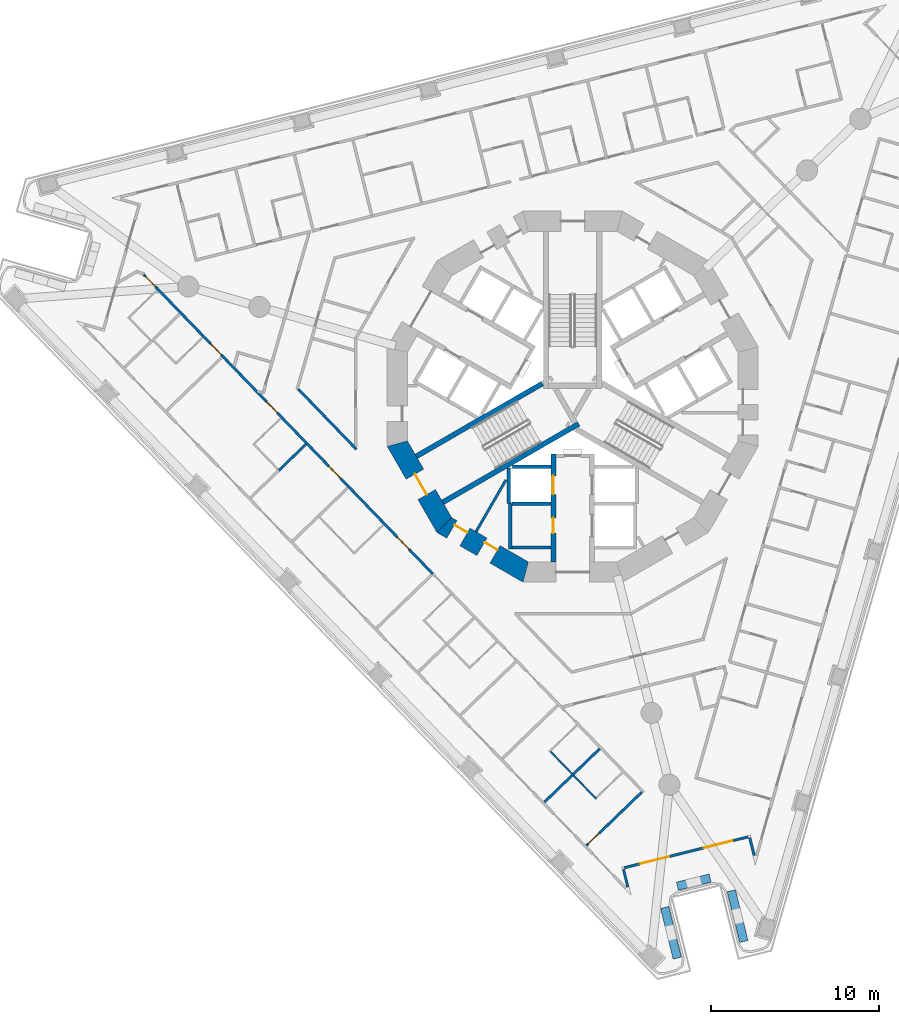
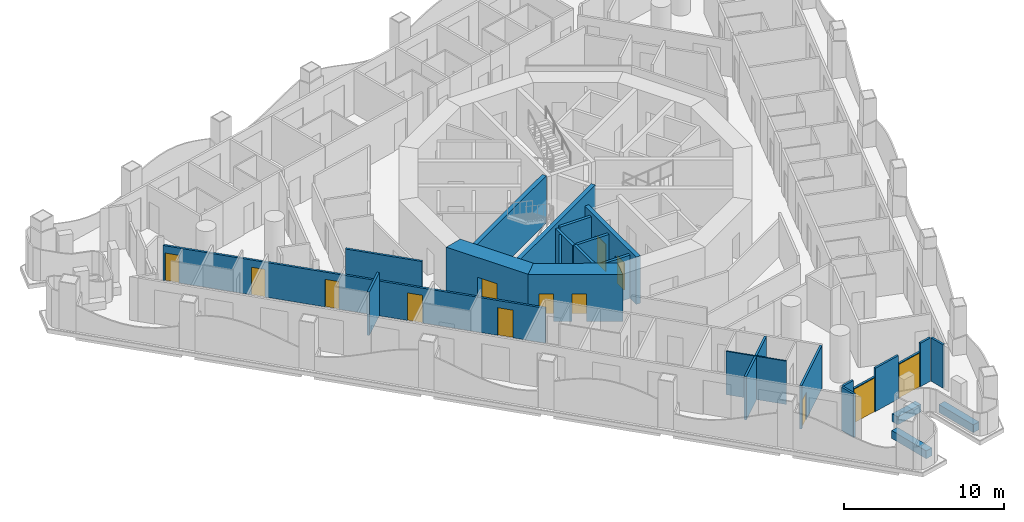
# One storey, part 3 of 19: 28 walls, 13 doors, 13 openings.
"""IFC4 building model written with IfcOpenShell, lengths in metres."""

import ifcopenshell
import ifcopenshell.guid

model = None  # the IFC model being written
_history = None  # IfcOwnerHistory: only IFC2X3 demands one
_inside = {}  # id of a spatial element -> (the spatial element, [elements in it])
_under = {}  # id of a project, library or spatial element -> (it, [spatial elements below it])
_declared = {}  # id of a project -> (the project, [libraries it declares])
_typed = {}  # id of a type object -> (the type object, [elements of that type])
_made_of = {}  # id of a material, layer set ... -> (it, [elements and type objects made of it])


def new_model(schema):
    """Start an empty IFC model of exactly this schema.

    Asked for "IFC4X3", IfcOpenShell would pick the latest addendum, in which some entities
    have other attributes; the version numbers below select the first issue.
    IFC2X3 requires an IfcOwnerHistory on every rooted entity: one is made here for all.
    """
    global model, _history
    if schema == "IFC4X3":
        model = ifcopenshell.file(schema_version=(4, 3, 0, 0))
    else:
        model = ifcopenshell.file(schema=schema)
    _inside.clear()
    _under.clear()
    _declared.clear()
    _typed.clear()
    _made_of.clear()
    _history = None
    if model.schema == "IFC2X3":
        org = make("IfcOrganization", Name="unknown")
        user = make(
            "IfcPersonAndOrganization",
            ThePerson=make("IfcPerson", FamilyName="unknown"),
            TheOrganization=org,
        )
        app = make(
            "IfcApplication",
            ApplicationDeveloper=org,
            Version="unknown",
            ApplicationFullName="unknown",
            ApplicationIdentifier="unknown",
        )
        _history = make(
            "IfcOwnerHistory",
            OwningUser=user,
            OwningApplication=app,
            ChangeAction="ADDED",
            CreationDate=0,
        )
    return model


def make(cls, **values):
    """One entity of the class cls with the attributes given. An attribute that is None is left unset."""
    return model.create_entity(
        cls, **{name: value for name, value in values.items() if value is not None}
    )


def rooted(cls, **values):
    """An entity with a GlobalId (a new one), such as an element, a storey or a relation."""
    return make(cls, GlobalId=ifcopenshell.guid.new(), OwnerHistory=_history, **values)


def si_unit(unit_type, name, prefix=None):
    """IfcSIUnit, for example si_unit("LENGTHUNIT", "METRE", prefix="MILLI")."""
    return make("IfcSIUnit", UnitType=unit_type, Prefix=prefix, Name=name)


def assignment(units):
    """IfcUnitAssignment: the units of a project."""
    return None if units is None else make("IfcUnitAssignment", Units=units)


def point(xyz):
    """IfcCartesianPoint."""
    return None if xyz is None else make("IfcCartesianPoint", Coordinates=xyz)


def direction(xyz):
    """IfcDirection."""
    return None if xyz is None else make("IfcDirection", DirectionRatios=xyz)


def frame(location, z_axis=None, x_axis=None):
    """IfcAxis2Placement3D, a coordinate frame: its origin and axes. An axis left out is left unset."""
    return make(
        "IfcAxis2Placement3D",
        Location=point(location),
        Axis=direction(z_axis),
        RefDirection=direction(x_axis),
    )


def frame_2d(location, x_axis=None):
    """IfcAxis2Placement2D, a coordinate frame in the plane: its origin and x axis."""
    return make(
        "IfcAxis2Placement2D", Location=point(location), RefDirection=direction(x_axis)
    )


def origin():
    """The frame at (0, 0, 0) with its axes left unset."""
    return frame((0.0, 0.0, 0.0))


def place(relative_to, where):
    """IfcLocalPlacement: puts the frame where relative to a parent placement (None: the world)."""
    return make(
        "IfcLocalPlacement", PlacementRelTo=relative_to, RelativePlacement=where
    )


def context(
    kind, dimensions, precision=None, world=None, true_north=None, identifier=None
):
    """IfcGeometricRepresentationContext, for example the 3D "Model" context."""
    return make(
        "IfcGeometricRepresentationContext",
        ContextIdentifier=identifier,
        ContextType=kind,
        CoordinateSpaceDimension=dimensions,
        Precision=precision,
        WorldCoordinateSystem=world,
        TrueNorth=true_north,
    )


def subcontext(parent, identifier, kind, view, scale=None):
    """IfcGeometricRepresentationSubContext, for example "Body" below "Model"."""
    return make(
        "IfcGeometricRepresentationSubContext",
        ContextIdentifier=identifier,
        ContextType=kind,
        ParentContext=parent,
        TargetScale=scale,
        TargetView=view,
    )


def project(units=None, contexts=None):
    """IfcProject with its units and contexts."""
    return rooted(
        "IfcProject",
        Name="project",
        RepresentationContexts=contexts,
        UnitsInContext=assignment(units),
    )


def spatial(cls, under=None, at=None, **own):
    """A site, building, storey or space (cls), placed at a placement, below another one or the project."""
    s = rooted(cls, ObjectPlacement=at, **own)
    if under is not None:
        _under.setdefault(under.id(), (under, []))[1].append(s)
    return s


def polyline(points):
    """IfcPolyline through the points."""
    return make("IfcPolyline", Points=[point(p) for p in points])


def profile(cls, at=None, kind="AREA", **sizes):
    """A parametric profile (cls). Its sizes go by their IFC names, for example OverallWidth=200.0."""
    return make(cls, ProfileType=kind, Position=at, **sizes)


def rectangle(**sizes):
    """IfcRectangleProfileDef."""
    return profile("IfcRectangleProfileDef", **sizes)


def outline(outer, holes=None, kind="AREA"):
    """IfcArbitraryClosedProfileDef: a profile drawn as a closed curve; with holes, ...WithVoids."""
    if holes is None:
        return make("IfcArbitraryClosedProfileDef", ProfileType=kind, OuterCurve=outer)
    return make(
        "IfcArbitraryProfileDefWithVoids",
        ProfileType=kind,
        OuterCurve=outer,
        InnerCurves=holes,
    )


def extrude(swept, where, along, depth):
    """IfcExtrudedAreaSolid: the profile swept, set in the frame where, extruded along a direction by depth."""
    return make(
        "IfcExtrudedAreaSolid",
        SweptArea=swept,
        Position=where,
        ExtrudedDirection=direction(along),
        Depth=depth,
    )


def shape(context_of_items, identifier, shape_type, items):
    """IfcShapeRepresentation: the items that make up one representation, for example the "Body"."""
    return make(
        "IfcShapeRepresentation",
        ContextOfItems=context_of_items,
        RepresentationIdentifier=identifier,
        RepresentationType=shape_type,
        Items=items,
    )


def material(Name=None, Category=None):
    """IfcMaterial."""
    return make("IfcMaterial", Name=Name, Category=Category)


def layer(
    of_material, thickness, ventilated=None, Name=None, Category=None, Priority=None
):
    """IfcMaterialLayer: one layer of a wall or slab, of a material (None: an air gap)."""
    return make(
        "IfcMaterialLayer",
        Material=of_material,
        LayerThickness=thickness,
        IsVentilated=ventilated,
        Name=Name,
        Category=Category,
        Priority=Priority,
    )


def layer_set(layers, Name=None):
    """IfcMaterialLayerSet."""
    return make("IfcMaterialLayerSet", MaterialLayers=layers, LayerSetName=Name)


def made_of(thing, what):
    """Note that an element or type object is made of a material, layer set ...; save() writes the relation."""
    if what is not None:
        _made_of.setdefault(what.id(), (what, []))[1].append(thing)
    return thing


def type_object(cls, material=None, **own):
    """A type object (cls), such as IfcWallType, which elements share."""
    return made_of(rooted(cls, **own), material)


def element(
    cls,
    number,
    at=None,
    inside=None,
    cuts=None,
    type_object=None,
    material=None,
    context=None,
    identifier="Body",
    shape_type=None,
    held_by="IfcProductDefinitionShape",
    body=None,
    shapes=None,
    **own,
):
    """One element of the class cls, such as IfcWall. Its Tag is "e" and its number.

    at: its placement. inside: the storey or other place that contains it. cuts: it is an
    opening in that element (IfcRelVoidsElement). A single representation is given by context,
    identifier, shape_type and body (its items); several are given by shapes. held_by: the class
    of the entity that holds the representations. save() writes the other relations.
    """
    e = rooted(cls, Tag="e%d" % number, ObjectPlacement=at, **own)
    if body is not None:
        shapes = [shape(context, identifier, shape_type, body)]
    if shapes is not None:
        e.Representation = make(held_by, Representations=shapes)
    if inside is not None:
        _inside.setdefault(inside.id(), (inside, []))[1].append(e)
    if cuts is not None:
        rooted(
            "IfcRelVoidsElement", RelatingBuildingElement=cuts, RelatedOpeningElement=e
        )
    if type_object is not None:
        _typed.setdefault(type_object.id(), (type_object, []))[1].append(e)
    return made_of(e, material)


def fill(opening, filler):
    """IfcRelFillsElement: the door or window that sits in an opening."""
    return rooted(
        "IfcRelFillsElement",
        RelatingOpeningElement=opening,
        RelatedBuildingElement=filler,
    )


def aggregate(whole, parts):
    """IfcRelAggregates: a whole, such as a stair, and the parts it consists of."""
    return rooted("IfcRelAggregates", RelatingObject=whole, RelatedObjects=parts)


def save(model, path):
    """Write the relations noted so far, then the file.

    IfcRelAggregates (storeys below a building ...), IfcRelContainedInSpatialStructure (elements
    in a storey), IfcRelDefinesByType, IfcRelAssociatesMaterial and IfcRelDeclares: one each for
    every whole, place, type object, material and project.
    """
    for whole, parts in _under.values():
        aggregate(whole, parts)
    for where, things in _inside.values():
        rooted(
            "IfcRelContainedInSpatialStructure",
            RelatedElements=things,
            RelatingStructure=where,
        )
    for kind, things in _typed.values():
        rooted("IfcRelDefinesByType", RelatedObjects=things, RelatingType=kind)
    for what, things in _made_of.values():
        rooted("IfcRelAssociatesMaterial", RelatedObjects=things, RelatingMaterial=what)
    for by, libraries in _declared.values():
        rooted("IfcRelDeclares", RelatingContext=by, RelatedDefinitions=libraries)
    model.write(path)


model = new_model("IFC4")

# Units and contexts
model_context = context("Model", 3, precision=1e-05, world=origin(), true_north=direction((0.0, 1.0)))
body_context = subcontext(model_context, "Body", "Model", "MODEL_VIEW")
ifc_project = project(units=[si_unit("LENGTHUNIT", "METRE"), si_unit("AREAUNIT", "SQUARE_METRE"), si_unit("VOLUMEUNIT", "CUBIC_METRE"), si_unit("PLANEANGLEUNIT", "RADIAN"), si_unit("MASSUNIT", "GRAM", prefix="KILO")], contexts=[model_context])

# Site, building, storey
site_placement = place(None, origin())
site = spatial("IfcSite", under=ifc_project, at=site_placement, CompositionType="ELEMENT")
building_placement = place(site_placement, origin())
building = spatial("IfcBuilding", under=site, at=building_placement, Name="Trine Commons Tower", CompositionType="ELEMENT")
storey_placement = place(building_placement, frame((0.0, 0.0, 98.10009765625)))
storey = spatial("IfcBuildingStorey", under=building, at=storey_placement, Name="L24", CompositionType="ELEMENT", Elevation=98.10009765625)

# Walls
ifc_material_1 = material(Name="Plasterboard partition on steel studs", Category="steel")
ifc_layer_1 = layer(ifc_material_1, 0.14990234375)
ifc_layer_set_1 = layer_set([ifc_layer_1], Name="Plasterboard partition on steel studs")
wall_type_1 = type_object("IfcWallType", Name="Core room partition 150 mm, EI 60", PredefinedType="PARTITIONING", material=ifc_layer_set_1)
wall_1_placement = place(storey_placement, frame((74.260986328125, 54.48388671875, 0.0), z_axis=(0.0, 0.0, 1.0), x_axis=(0.500062019353, 0.865989593933, 0.0)))
element("IfcWall", 1, at=wall_1_placement, inside=storey, type_object=wall_type_1, Name="Core room partition L24", PredefinedType="PARTITIONING", context=body_context, shape_type="SweptSolid", body=[
    extrude(rectangle(XDim=3.54736328125, YDim=0.14990234375, at=frame_2d((1.773681640625, 0.0))), origin(), (0.0, 0.0, 1.0), 3.2998046875),
])
ifc_material_2 = material(Name="Aluminium-framed insulated wall panel", Category="aluminium")
ifc_layer_2 = layer(ifc_material_2, 0.14990234375)
ifc_layer_set_2 = layer_set([ifc_layer_2], Name="Aluminium-framed insulated wall panel")
wall_type_2 = type_object("IfcWallType", Name="Glazed frame wall 150, EI 60", PredefinedType="SOLIDWALL", material=ifc_layer_set_2)
wall_2_placement = place(storey_placement, frame((90.810302734375, 35.118896484375, 0.0), z_axis=(0.0, 0.0, 1.0), x_axis=(-0.241937701072, 0.970291785393, 0.0)))
element("IfcWall", 2, at=wall_2_placement, inside=storey, type_object=wall_type_2, Name="Glazed frame wall R9", PredefinedType="SOLIDWALL", context=body_context, shape_type="SweptSolid", body=[
    extrude(outline(polyline([(0.1494140625, 0.074951171875), (0.1494140625, -0.074951171875), (1.235107421875, -0.074951171875), (1.235107421875, 0.074951171875), (0.1494140625, 0.074951171875)])), origin(), (0.0, 0.0, 1.0), 3.2998046875),
])
wall_3_placement = place(storey_placement, frame((90.527099609375, 36.398681640625, 0.0), z_axis=(0.0, 0.0, 1.0), x_axis=(-0.970285952705, -0.24196109188, 0.0)))
element("IfcWall", 3, at=wall_3_placement, inside=storey, type_object=wall_type_2, Name="Glazed frame wall P3.1", PredefinedType="SOLIDWALL", context=body_context, shape_type="SweptSolid", body=[
    extrude(outline(polyline([(0.110107421875, -0.074951171875), (1.0, -0.074951171875), (1.0, 0.074951171875), (0.110107421875, 0.074951171875), (0.110107421875, -0.074951171875)])), origin(), (0.0, 0.0, 1.0), 3.2998046875),
])

# Wall, opening, door
wall_4_placement = place(storey_placement, frame((89.556884765625, 36.15673828125, 0.0), z_axis=(0.0, 0.0, 1.0), x_axis=(-0.970285945114, -0.241961122321, 0.0)))
wall_4 = element("IfcWall", 4, at=wall_4_placement, inside=storey, type_object=wall_type_2, Name="Glazed frame wall P3.2", PredefinedType="SOLIDWALL", context=body_context, shape_type="SweptSolid", body=[
    extrude(outline(polyline([(0.0, -0.074951171875), (1.89990234375, -0.074951171875), (1.89990234375, 0.074951171875), (0.0, 0.074951171875), (0.0, -0.074951171875)])), origin(), (0.0, 0.0, 1.0), 2.64990234375),
])
opening_1_placement = place(wall_4_placement, frame((0.050048828125, 0.0, 0.0)))
opening_1 = element("IfcOpeningElement", 5, at=opening_1_placement, cuts=wall_4, Name="Opening BD-3P3-01", PredefinedType="OPENING", context=body_context, shape_type="SweptSolid", body=[
    extrude(rectangle(XDim=1.800048828125, YDim=2.60009765625, at=frame_2d((0.89990234375, 1.300048828125))), frame((0.0, 0.0849609375, 0.0), z_axis=(0.0, -1.0, 0.0), x_axis=(1.0, 0.0, 0.0)), (0.0, 0.0, 1.0), 0.169921875),
])
ifc_material_3 = material(Name="Anodised aluminium frame with double glazing", Category="aluminium")
door_type_1 = type_object("IfcDoorType", Name="Sliding loggia door 1800x2600", OperationType="SLIDING_TO_LEFT", PredefinedType="DOOR", material=ifc_material_3)
door_1_placement = place(opening_1_placement, origin())
door_1 = element("IfcDoor", 6, at=door_1_placement, inside=storey, type_object=door_type_1, Name="Loggia door P3 1", OperationType="SLIDING_TO_LEFT", OverallHeight=2.60009765625, OverallWidth=1.800048828125, PredefinedType="DOOR", context=body_context, shape_type="SweptSolid", body=[
    extrude(rectangle(XDim=1.800048828125, YDim=2.60009765625, at=frame_2d((0.89990234375, 1.300048828125))), frame((0.0, 0.02490234375, 0.0), z_axis=(0.0, -1.0, 0.0), x_axis=(1.0, 0.0, 0.0)), (0.0, 0.0, 1.0), 0.050048828125),
])
fill(opening_1, door_1)

# Wall
wall_5_placement = place(storey_placement, frame((87.71337890625, 35.697021484375, 0.0), z_axis=(0.0, 0.0, 1.0), x_axis=(-0.970293098586, -0.241932434444, 0.0)))
element("IfcWall", 7, at=wall_5_placement, inside=storey, type_object=wall_type_2, Name="Glazed frame wall P3.3", PredefinedType="SOLIDWALL", context=body_context, shape_type="SweptSolid", body=[
    extrude(outline(polyline([(0.0, -0.074951171875), (2.0, -0.074951171875), (2.0, 0.074951171875), (0.0, 0.074951171875), (0.0, -0.074951171875)])), origin(), (0.0, 0.0, 1.0), 3.2998046875),
])

# Wall, opening, door
wall_6_placement = place(storey_placement, frame((85.772705078125, 35.213134765625, 0.0), z_axis=(0.0, 0.0, 1.0), x_axis=(-0.970285945114, -0.241961122321, 0.0)))
wall_6 = element("IfcWall", 8, at=wall_6_placement, inside=storey, type_object=wall_type_2, Name="Glazed frame wall P3.4", PredefinedType="SOLIDWALL", context=body_context, shape_type="SweptSolid", body=[
    extrude(outline(polyline([(0.0, -0.074951171875), (1.89990234375, -0.074951171875), (1.89990234375, 0.074951171875), (0.0, 0.074951171875), (0.0, -0.074951171875)])), origin(), (0.0, 0.0, 1.0), 2.64990234375),
])
opening_2_placement = place(wall_6_placement, frame((0.050048828125, 0.0, 0.0)))
opening_2 = element("IfcOpeningElement", 9, at=opening_2_placement, cuts=wall_6, Name="Opening BD-3P3-02", PredefinedType="OPENING", context=body_context, shape_type="SweptSolid", body=[
    extrude(rectangle(XDim=1.800048828125, YDim=2.60009765625, at=frame_2d((0.89990234375, 1.300048828125))), frame((0.0, 0.0849609375, 0.0), z_axis=(0.0, -1.0, 0.0), x_axis=(1.0, 0.0, 0.0)), (0.0, 0.0, 1.0), 0.169921875),
])
door_2_placement = place(opening_2_placement, origin())
door_2 = element("IfcDoor", 10, at=door_2_placement, inside=storey, type_object=door_type_1, Name="Loggia door P3 2", OperationType="SLIDING_TO_LEFT", OverallHeight=2.60009765625, OverallWidth=1.800048828125, PredefinedType="DOOR", context=body_context, shape_type="SweptSolid", body=[
    extrude(rectangle(XDim=1.800048828125, YDim=2.60009765625, at=frame_2d((0.89990234375, 1.300048828125))), frame((0.0, 0.02490234375, 0.0), z_axis=(0.0, -1.0, 0.0), x_axis=(1.0, 0.0, 0.0)), (0.0, 0.0, 1.0), 0.050048828125),
])
fill(opening_2, door_2)

# Walls
wall_7_placement = place(storey_placement, frame((83.92919921875, 34.75341796875, 0.0), z_axis=(0.0, 0.0, 1.0), x_axis=(-0.970343250308, -0.241731207299, 0.0)))
element("IfcWall", 11, at=wall_7_placement, inside=storey, type_object=wall_type_2, Name="Glazed frame wall P3.5", PredefinedType="SOLIDWALL", context=body_context, shape_type="SweptSolid", body=[
    extrude(outline(polyline([(0.889892578125, 0.074951171875), (0.0, 0.074951171875), (0.0, -0.074951171875), (0.889892578125, -0.074951171875), (0.889892578125, 0.074951171875)])), origin(), (0.0, 0.0, 1.0), 3.2998046875),
])
wall_8_placement = place(storey_placement, frame((82.984375, 34.553955078125, 0.0), z_axis=(0.0, 0.0, 1.0), x_axis=(0.241980315181, -0.970281158771, 0.0)))
element("IfcWall", 12, at=wall_8_placement, inside=storey, type_object=wall_type_2, Name="Glazed frame wall R11", PredefinedType="SOLIDWALL", context=body_context, shape_type="SweptSolid", body=[
    extrude(outline(polyline([(0.110107421875, 0.074951171875), (0.110107421875, -0.074951171875), (1.19580078125, -0.074951171875), (1.19580078125, 0.074951171875), (0.110107421875, 0.074951171875)])), origin(), (0.0, 0.0, 1.0), 3.2998046875),
])
ifc_material_4 = material(Name="Planter trough, precast concrete C40/50", Category="concrete")
ifc_layer_3 = layer(ifc_material_4, 0.5)
ifc_layer_set_3 = layer_set([ifc_layer_3], Name="Planter trough, precast concrete C40/50")
wall_type_3 = type_object("IfcWallType", Name="Planter trough 500x600", PredefinedType="PARAPET", material=ifc_layer_set_3)
wall_9_placement = place(storey_placement, frame((90.16552734375, 30.160888671875, 0.0), z_axis=(0.0, 0.0, 1.0), x_axis=(-0.2419425832, 0.970290568044, 0.0)))
element("IfcWall", 13, at=wall_9_placement, inside=storey, type_object=wall_type_3, Name="Planter 7", PredefinedType="PARAPET", context=body_context, shape_type="SweptSolid", body=[
    extrude(rectangle(XDim=3.099853515625, YDim=0.5, at=frame_2d((1.5498046875, 0.0))), origin(), (0.0, 0.0, 1.0), 0.599853515625),
])
wall_10_placement = place(storey_placement, frame((88.15478515625, 33.92626953125, 0.0), z_axis=(0.0, 0.0, 1.0), x_axis=(-0.970285952705, -0.24196109188, 0.0)))
element("IfcWall", 14, at=wall_10_placement, inside=storey, type_object=wall_type_3, Name="Planter 8", PredefinedType="PARAPET", context=body_context, shape_type="SweptSolid", body=[
    extrude(rectangle(XDim=1.999755859375, YDim=0.5, at=frame_2d((1.0, 0.0))), origin(), (0.0, 0.0, 1.0), 0.599853515625),
])
wall_11_placement = place(storey_placement, frame((85.456787109375, 32.181640625, 0.0), z_axis=(0.0, 0.0, 1.0), x_axis=(0.2419425832, -0.970290568044, 0.0)))
element("IfcWall", 15, at=wall_11_placement, inside=storey, type_object=wall_type_3, Name="Planter 9", PredefinedType="PARAPET", context=body_context, shape_type="SweptSolid", body=[
    extrude(rectangle(XDim=3.099853515625, YDim=0.5, at=frame_2d((1.5498046875, 0.0))), origin(), (0.0, 0.0, 1.0), 0.599853515625),
])

# Wall, opening, door
ifc_material_5 = material(Name="Concrete C70/85", Category="concrete")
ifc_layer_4 = layer(ifc_material_5, 1.199951171875)
ifc_layer_set_4 = layer_set([ifc_layer_4], Name="Concrete C70/85")
wall_type_4 = type_object("IfcWallType", Name="RC shear wall 1200 mm, C70/85", PredefinedType="SHEAR", material=ifc_layer_set_4)
wall_12_placement = place(storey_placement, frame((69.508056640625, 59.849609375, 0.0), z_axis=(0.0, 0.0, 1.0), x_axis=(0.499979111662, -0.866037463336, 0.0)))
wall_12 = element("IfcWall", 16, at=wall_12_placement, inside=storey, type_object=wall_type_4, Name="Core wall CWC-08 L24", PredefinedType="SHEAR", context=body_context, shape_type="SweptSolid", body=[
    extrude(outline(polyline([(0.0, -0.60009765625), (5.901123046875, -0.60009765625), (5.57958984375, 0.60009765625), (0.321533203125, 0.60009765625), (0.0, -0.60009765625)])), origin(), (0.0, 0.0, 1.0), 3.599853515625),
])
opening_3_placement = place(wall_12_placement, frame((2.25048828125, 0.0, 0.0)))
opening_3 = element("IfcOpeningElement", 17, at=opening_3_placement, cuts=wall_12, Name="Opening K07.02", PredefinedType="OPENING", context=body_context, shape_type="SweptSolid", body=[
    extrude(rectangle(XDim=1.39990234375, YDim=2.10009765625, at=frame_2d((0.699951171875, 1.050048828125))), frame((0.0, 0.60986328125, 0.0), z_axis=(0.0, -1.0, 0.0), x_axis=(1.0, 0.0, 0.0)), (0.0, 0.0, 1.0), 1.219970703125),
])
ifc_material_6 = material(Name="Steel door leaves, fire-rated", Category="steel")
door_type_2 = type_object("IfcDoorType", Name="Stair door, double leaf 1400 x 2100, FD90", OperationType="DOUBLE_DOOR_SINGLE_SWING", PredefinedType="DOOR", material=ifc_material_6)
door_3_placement = place(opening_3_placement, origin())
door_3 = element("IfcDoor", 18, at=door_3_placement, inside=storey, type_object=door_type_2, Name="Stair door to Exit stair ST2A L24", OperationType="DOUBLE_DOOR_SINGLE_SWING", OverallHeight=2.10009765625, OverallWidth=1.39990234375, PredefinedType="DOOR", context=body_context, shape_type="SweptSolid", body=[
    extrude(rectangle(XDim=1.39990234375, YDim=2.10009765625, at=frame_2d((0.699951171875, 1.050048828125))), frame((0.0, 0.02490234375, 0.0), z_axis=(0.0, -1.0, 0.0), x_axis=(1.0, 0.0, 0.0)), (0.0, 0.0, 1.0), 0.050048828125),
])
fill(opening_3, door_3)

# Wall, openings, doors
wall_13_placement = place(storey_placement, frame((72.239013671875, 54.95849609375, 0.0), z_axis=(0.0, 0.0, 1.0), x_axis=(0.866037463336, -0.499979111662, 0.0)))
wall_13 = element("IfcWall", 19, at=wall_13_placement, inside=storey, type_object=wall_type_4, Name="Core wall CWC-09 L24", PredefinedType="SHEAR", context=body_context, shape_type="SweptSolid", body=[
    extrude(outline(polyline([(0.0, -0.60009765625), (5.901123046875, -0.60009765625), (5.57958984375, 0.60009765625), (0.321533203125, 0.60009765625), (0.0, -0.60009765625)])), origin(), (0.0, 0.0, 1.0), 3.599853515625),
])
opening_4_placement = place(wall_13_placement, frame((0.676513671875, 0.0, 0.0)))
opening_4 = element("IfcOpeningElement", 20, at=opening_4_placement, cuts=wall_13, Name="Opening K07.15", PredefinedType="OPENING", context=body_context, shape_type="SweptSolid", body=[
    extrude(rectangle(XDim=0.89990234375, YDim=2.10009765625, at=frame_2d((0.449951171875, 1.050048828125))), frame((0.0, 0.60986328125, 0.0), z_axis=(0.0, -1.0, 0.0), x_axis=(1.0, 0.0, 0.0)), (0.0, 0.0, 1.0), 1.219970703125),
])
opening_5_placement = place(wall_13_placement, frame((2.738525390625, 0.0, 0.0)))
opening_5 = element("IfcOpeningElement", 21, at=opening_5_placement, cuts=wall_13, Name="Opening K07.16", PredefinedType="OPENING", context=body_context, shape_type="SweptSolid", body=[
    extrude(rectangle(XDim=0.89990234375, YDim=2.10009765625, at=frame_2d((0.449951171875, 1.050048828125))), frame((0.0, 0.60986328125, 0.0), z_axis=(0.0, -1.0, 0.0), x_axis=(1.0, 0.0, 0.0)), (0.0, 0.0, 1.0), 1.219970703125),
])
ifc_material_7 = material(Name="Steel door leaf, fire-rated", Category="steel")
door_type_3 = type_object("IfcDoorType", Name="Core room door, single leaf 900 x 2100, FD30S", OperationType="SINGLE_SWING_LEFT", PredefinedType="DOOR", material=ifc_material_7)
door_4_placement = place(opening_4_placement, origin())
door_4 = element("IfcDoor", 22, at=door_4_placement, inside=storey, type_object=door_type_3, Name="Door to Cleaner's store L24", OperationType="SINGLE_SWING_LEFT", OverallHeight=2.10009765625, OverallWidth=0.89990234375, PredefinedType="DOOR", context=body_context, shape_type="SweptSolid", body=[
    extrude(rectangle(XDim=0.89990234375, YDim=2.10009765625, at=frame_2d((0.449951171875, 1.050048828125))), frame((0.0, 0.3251953125, 0.0), z_axis=(0.0, -1.0, 0.0), x_axis=(1.0, 0.0, 0.0)), (0.0, 0.0, 1.0), 0.050048828125),
])
fill(opening_4, door_4)
door_5_placement = place(opening_5_placement, origin())
door_5 = element("IfcDoor", 23, at=door_5_placement, inside=storey, type_object=door_type_3, Name="Door to Accessible WC L24", OperationType="SINGLE_SWING_RIGHT", OverallHeight=2.10009765625, OverallWidth=0.89990234375, PredefinedType="DOOR", context=body_context, shape_type="SweptSolid", body=[
    extrude(rectangle(XDim=0.89990234375, YDim=2.10009765625, at=frame_2d((0.449951171875, 1.050048828125))), frame((0.0, 0.3251953125, 0.0), z_axis=(0.0, -1.0, 0.0), x_axis=(1.0, 0.0, 0.0)), (0.0, 0.0, 1.0), 0.050048828125),
])
fill(opening_5, door_5)

ifc_layer_5 = layer(ifc_material_5, 0.300048828125)
ifc_layer_set_5 = layer_set([ifc_layer_5], Name="Concrete C70/85")
wall_type_5 = type_object("IfcWallType", Name="RC shear wall 300 mm, C70/85", PredefinedType="SHEAR", material=ifc_layer_set_5)
wall_14_placement = place(storey_placement, frame((78.85009765625, 59.10009765625, 0.0), z_axis=(0.0, 0.0, 1.0), x_axis=(0.0, -1.0, 0.0)))
wall_14 = element("IfcWall", 24, at=wall_14_placement, inside=storey, type_object=wall_type_5, Name="Core cross wall SWA-03 L24", PredefinedType="SHEAR", context=body_context, shape_type="SweptSolid", body=[
    extrude(rectangle(XDim=6.412109375, YDim=0.300048828125, at=frame_2d((3.2060546875, 0.0))), origin(), (0.0, 0.0, 1.0), 3.599853515625),
])
opening_6_placement = place(wall_14_placement, frame((3.800048828125, 0.0, 0.0)))
opening_6 = element("IfcOpeningElement", 25, at=opening_6_placement, cuts=wall_14, Name="Opening K07.10", PredefinedType="OPENING", context=body_context, shape_type="SweptSolid", body=[
    extrude(rectangle(XDim=0.89990234375, YDim=2.10009765625, at=frame_2d((0.449951171875, 1.050048828125))), frame((0.0, 0.159912109375, 0.0), z_axis=(0.0, -1.0, 0.0), x_axis=(1.0, 0.0, 0.0)), (0.0, 0.0, 1.0), 0.320068359375),
])
opening_7_placement = place(wall_14_placement, frame((1.300048828125, 0.0, 0.0)))
opening_7 = element("IfcOpeningElement", 26, at=opening_7_placement, cuts=wall_14, Name="Opening LD10", PredefinedType="OPENING", context=body_context, shape_type="SweptSolid", body=[
    extrude(rectangle(XDim=1.10009765625, YDim=2.10009765625, at=frame_2d((0.550048828125, 1.050048828125))), frame((0.0, 0.159912109375, 0.0), z_axis=(0.0, -1.0, 0.0), x_axis=(1.0, 0.0, 0.0)), (0.0, 0.0, 1.0), 0.320068359375),
])
door_6_placement = place(opening_6_placement, frame((0.89990234375, 0.0, 0.0), z_axis=(0.0, 0.0, 1.0), x_axis=(-1.0, 0.0, 0.0)))
door_6 = element("IfcDoor", 27, at=door_6_placement, inside=storey, type_object=door_type_3, Name="Door to Linen store L24", OperationType="SINGLE_SWING_RIGHT", OverallHeight=2.10009765625, OverallWidth=0.89990234375, PredefinedType="DOOR", context=body_context, shape_type="SweptSolid", body=[
    extrude(rectangle(XDim=0.89990234375, YDim=2.10009765625, at=frame_2d((0.449951171875, 1.050048828125))), frame((0.0, 0.02490234375, 0.0), z_axis=(0.0, -1.0, 0.0), x_axis=(1.0, 0.0, 0.0)), (0.0, 0.0, 1.0), 0.050048828125),
])
fill(opening_6, door_6)
ifc_material_8 = material(Name="Stainless steel sliding door leaves", Category="steel")
door_type_4 = type_object("IfcDoorType", Name="Lift landing door, centre-opening sliding 1100 x 2100, FD90", OperationType="DOUBLE_DOOR_SLIDING", PredefinedType="DOOR", material=ifc_material_8)
door_7_placement = place(opening_7_placement, origin())
door_7 = element("IfcDoor", 28, at=door_7_placement, inside=storey, type_object=door_type_4, Name="Lift landing door FF2 L24", OperationType="DOUBLE_DOOR_SLIDING", OverallHeight=2.10009765625, OverallWidth=1.10009765625, PredefinedType="DOOR", context=body_context, shape_type="SweptSolid", body=[
    extrude(rectangle(XDim=1.10009765625, YDim=2.10009765625, at=frame_2d((0.550048828125, 1.050048828125))), frame((0.0, 0.02490234375, 0.0), z_axis=(0.0, -1.0, 0.0), x_axis=(1.0, 0.0, 0.0)), (0.0, 0.0, 1.0), 0.050048828125),
])
fill(opening_7, door_7)

# Walls
wall_15_placement = place(storey_placement, frame((78.199951171875, 63.280029296875, 0.0), z_axis=(0.0, 0.0, 1.0), x_axis=(-0.865965399159, -0.500103916661, 0.0)))
element("IfcWall", 29, at=wall_15_placement, inside=storey, type_object=wall_type_5, Name="Core cross wall SWA-07 L24", PredefinedType="SHEAR", context=body_context, shape_type="SweptSolid", body=[
    extrude(rectangle(XDim=8.642333984375, YDim=0.300048828125, at=frame_2d((4.3212890625, 0.0))), origin(), (0.0, 0.0, 1.0), 3.599853515625),
])
wall_16_placement = place(storey_placement, frame((80.35400390625, 60.885986328125, 0.0), z_axis=(0.0, 0.0, 1.0), x_axis=(-0.865986456211, -0.50006745311, 0.0)))
element("IfcWall", 30, at=wall_16_placement, inside=storey, type_object=wall_type_5, Name="Core cross wall SWA-14 L24", PredefinedType="SHEAR", context=body_context, shape_type="SweptSolid", body=[
    extrude(rectangle(XDim=9.310791015625, YDim=0.300048828125, at=frame_2d((4.6552734375, 0.0))), origin(), (0.0, 0.0, 1.0), 3.599853515625),
])
ifc_material_9 = material(Name="Fire-rated gypsum shaft wall system")
ifc_layer_6 = layer(ifc_material_9, 0.199951171875)
ifc_layer_set_6 = layer_set([ifc_layer_6], Name="Fire-rated gypsum shaft wall system")
wall_type_6 = type_object("IfcWallType", Name="Shaft wall 200 mm, EI 120", PredefinedType="PARTITIONING", material=ifc_layer_set_6)
wall_17_placement = place(storey_placement, frame((76.199951171875, 58.256103515625, 0.0), z_axis=(0.0, 0.0, 1.0), x_axis=(0.0, -1.0, 0.0)))
element("IfcWall", 31, at=wall_17_placement, inside=storey, type_object=wall_type_6, Name="Shaft wall L24", PredefinedType="PARTITIONING", context=body_context, shape_type="SweptSolid", body=[
    extrude(rectangle(XDim=2.106201171875, YDim=0.199951171875, at=frame_2d((1.05322265625, 0.0))), origin(), (0.0, 0.0, 1.0), 3.2998046875),
])
wall_18_placement = place(storey_placement, frame((76.300048828125, 56.14990234375, 0.0), z_axis=(0.0, 0.0, 1.0), x_axis=(0.0, -1.0, 0.0)))
element("IfcWall", 32, at=wall_18_placement, inside=storey, type_object=wall_type_6, Name="Shaft wall L24", PredefinedType="PARTITIONING", context=body_context, shape_type="SweptSolid", body=[
    extrude(rectangle(XDim=2.699951171875, YDim=0.199951171875, at=frame_2d((1.35009765625, 0.0))), origin(), (0.0, 0.0, 1.0), 3.2998046875),
])
for number, where, z_axis, x_axis, name in (
    (33, (78.699951171875, 53.550048828125, 0.0), (0.0, 0.0, 1.0), (-1.0, 0.0, 0.0), "Shaft wall L24"),
    (34, (78.699951171875, 56.14990234375, 0.0), (0.0, 0.0, 1.0), (-1.0, 0.0, 0.0), "Shaft wall L24"),
):
    element("IfcWall", number, at=place(storey_placement, frame(where, z_axis=z_axis, x_axis=x_axis)), inside=storey, type_object=wall_type_6, Name=name, PredefinedType="PARTITIONING", context=body_context, shape_type="SweptSolid", body=[
        extrude(rectangle(XDim=2.300048828125, YDim=0.199951171875, at=frame_2d((1.14990234375, 0.0))), origin(), (0.0, 0.0, 1.0), 3.2998046875),
    ])
wall_19_placement = place(storey_placement, frame((78.699951171875, 58.35009765625, 0.0), z_axis=(0.0, 0.0, 1.0), x_axis=(-1.0, 0.0, 0.0)))
element("IfcWall", 35, at=wall_19_placement, inside=storey, type_object=wall_type_6, Name="Shaft wall L24", PredefinedType="PARTITIONING", context=body_context, shape_type="SweptSolid", body=[
    extrude(rectangle(XDim=2.264892578125, YDim=0.199951171875, at=frame_2d((1.13232421875, 0.0))), origin(), (0.0, 0.0, 1.0), 3.2998046875),
])

# Wall, openings, doors
ifc_material_10 = material(Name="Gypsum plasterboard on steel stud", Category="steel")
ifc_layer_7 = layer(ifc_material_10, 0.14990234375)
ifc_layer_set_7 = layer_set([ifc_layer_7], Name="Gypsum plasterboard on steel stud")
wall_type_7 = type_object("IfcWallType", Name="Unit and corridor wall 150 mm, EI 60", PredefinedType="PARTITIONING", material=ifc_layer_set_7)
wall_20_placement = place(storey_placement, frame((54.51904296875, 69.76806640625, 0.0), z_axis=(0.0, 0.0, 1.0), x_axis=(0.694620161014, -0.71937669681, 0.0)))
wall_20 = element("IfcWall", 36, at=wall_20_placement, inside=storey, type_object=wall_type_7, Name="Partition 006", PredefinedType="PARTITIONING", context=body_context, shape_type="SweptSolid", body=[
    extrude(rectangle(XDim=24.802001953125, YDim=0.14990234375, at=frame_2d((12.40087890625, 0.0))), origin(), (0.0, 0.0, 1.0), 2.64990234375),
])
opening_8_placement = place(wall_20_placement, frame((21.714111328125, 0.0, 0.0)))
opening_8 = element("IfcOpeningElement", 37, at=opening_8_placement, cuts=wall_20, Name="Opening D-3B31", PredefinedType="OPENING", context=body_context, shape_type="SweptSolid", body=[
    extrude(rectangle(XDim=1.0, YDim=2.10009765625, at=frame_2d((0.5, 1.050048828125))), frame((0.0, 0.0849609375, 0.0), z_axis=(0.0, -1.0, 0.0), x_axis=(1.0, 0.0, 0.0)), (0.0, 0.0, 1.0), 0.169921875),
])
opening_9_placement = place(wall_20_placement, frame((15.85107421875, 0.0, 0.0)))
opening_9 = element("IfcOpeningElement", 38, at=opening_9_placement, cuts=wall_20, Name="Opening D-3B32", PredefinedType="OPENING", context=body_context, shape_type="SweptSolid", body=[
    extrude(rectangle(XDim=1.0, YDim=2.10009765625, at=frame_2d((0.5, 1.050048828125))), frame((0.0, 0.0849609375, 0.0), z_axis=(0.0, -1.0, 0.0), x_axis=(1.0, 0.0, 0.0)), (0.0, 0.0, 1.0), 0.169921875),
])
opening_10_placement = place(wall_20_placement, frame((10.52001953125, 0.0, 0.0)))
opening_10 = element("IfcOpeningElement", 39, at=opening_10_placement, cuts=wall_20, Name="Opening D-3B33", PredefinedType="OPENING", context=body_context, shape_type="SweptSolid", body=[
    extrude(rectangle(XDim=0.89990234375, YDim=2.10009765625, at=frame_2d((0.449951171875, 1.050048828125))), frame((0.0, 0.0849609375, 0.0), z_axis=(0.0, -1.0, 0.0), x_axis=(1.0, 0.0, 0.0)), (0.0, 0.0, 1.0), 0.169921875),
])
opening_11_placement = place(wall_20_placement, frame((5.732177734375, 0.0, 0.0)))
opening_11 = element("IfcOpeningElement", 40, at=opening_11_placement, cuts=wall_20, Name="Opening D-3B34", PredefinedType="OPENING", context=body_context, shape_type="SweptSolid", body=[
    extrude(rectangle(XDim=0.89990234375, YDim=2.10009765625, at=frame_2d((0.449951171875, 1.050048828125))), frame((0.0, 0.0849609375, 0.0), z_axis=(0.0, -1.0, 0.0), x_axis=(1.0, 0.0, 0.0)), (0.0, 0.0, 1.0), 0.169921875),
])
opening_12_placement = place(wall_20_placement, frame((0.14990234375, 0.0, 0.0)))
opening_12 = element("IfcOpeningElement", 41, at=opening_12_placement, cuts=wall_20, Name="Opening D-3B35", PredefinedType="OPENING", context=body_context, shape_type="SweptSolid", body=[
    extrude(rectangle(XDim=0.89990234375, YDim=2.10009765625, at=frame_2d((0.449951171875, 1.050048828125))), frame((0.0, 0.0849609375, 0.0), z_axis=(0.0, -1.0, 0.0), x_axis=(1.0, 0.0, 0.0)), (0.0, 0.0, 1.0), 0.169921875),
])
ifc_material_11 = material(Name="Painted timber", Category="wood")
door_type_5 = type_object("IfcDoorType", Name="Amenity room door 1000 x 2100, NOT RATED", OperationType="NOTDEFINED", PredefinedType="DOOR", material=ifc_material_11)
door_8_placement = place(opening_9_placement, frame((1.0, 0.0, 0.0), z_axis=(0.0, 0.0, 1.0), x_axis=(-1.0, 0.0, 0.0)))
door_8 = element("IfcDoor", 42, at=door_8_placement, inside=storey, type_object=door_type_5, Name="Door D-3B32", OperationType="SINGLE_SWING_LEFT", OverallHeight=2.10009765625, OverallWidth=1.0, PredefinedType="DOOR", context=body_context, shape_type="SweptSolid", body=[
    extrude(rectangle(XDim=1.0, YDim=2.10009765625, at=frame_2d((0.5, 1.050048828125))), frame((0.0, 0.02490234375, 0.0), z_axis=(0.0, -1.0, 0.0), x_axis=(1.0, 0.0, 0.0)), (0.0, 0.0, 1.0), 0.050048828125),
])
fill(opening_9, door_8)
ifc_material_12 = material(Name="Timber fire door set", Category="wood")
door_type_6 = type_object("IfcDoorType", Name="Bedroom door 1000 x 2100, FD30S", OperationType="NOTDEFINED", PredefinedType="DOOR", material=ifc_material_12)
door_9_placement = place(opening_8_placement, frame((1.0, 0.0, 0.0), z_axis=(0.0, 0.0, 1.0), x_axis=(-1.0, 0.0, 0.0)))
door_9 = element("IfcDoor", 43, at=door_9_placement, inside=storey, type_object=door_type_6, Name="Door D-3B31", OperationType="SINGLE_SWING_LEFT", OverallHeight=2.10009765625, OverallWidth=1.0, PredefinedType="DOOR", context=body_context, shape_type="SweptSolid", body=[
    extrude(rectangle(XDim=1.0, YDim=2.10009765625, at=frame_2d((0.5, 1.050048828125))), frame((0.0, 0.02490234375, 0.0), z_axis=(0.0, -1.0, 0.0), x_axis=(1.0, 0.0, 0.0)), (0.0, 0.0, 1.0), 0.050048828125),
])
fill(opening_8, door_9)
door_type_7 = type_object("IfcDoorType", Name="Bedroom door 900 x 2100, FD30S", OperationType="NOTDEFINED", PredefinedType="DOOR", material=ifc_material_12)
door_10_placement = place(opening_10_placement, frame((0.89990234375, 0.0, 0.0), z_axis=(0.0, 0.0, 1.0), x_axis=(-1.0, 0.0, 0.0)))
door_10 = element("IfcDoor", 44, at=door_10_placement, inside=storey, type_object=door_type_7, Name="Door D-3B33", OperationType="SINGLE_SWING_RIGHT", OverallHeight=2.10009765625, OverallWidth=0.89990234375, PredefinedType="DOOR", context=body_context, shape_type="SweptSolid", body=[
    extrude(rectangle(XDim=0.89990234375, YDim=2.10009765625, at=frame_2d((0.449951171875, 1.050048828125))), frame((0.0, 0.02490234375, 0.0), z_axis=(0.0, -1.0, 0.0), x_axis=(1.0, 0.0, 0.0)), (0.0, 0.0, 1.0), 0.050048828125),
])
fill(opening_10, door_10)
door_11_placement = place(opening_11_placement, frame((0.89990234375, 0.0, 0.0), z_axis=(0.0, 0.0, 1.0), x_axis=(-1.0, 0.0, 0.0)))
door_11 = element("IfcDoor", 45, at=door_11_placement, inside=storey, type_object=door_type_7, Name="Door D-3B34", OperationType="SINGLE_SWING_RIGHT", OverallHeight=2.10009765625, OverallWidth=0.89990234375, PredefinedType="DOOR", context=body_context, shape_type="SweptSolid", body=[
    extrude(rectangle(XDim=0.89990234375, YDim=2.10009765625, at=frame_2d((0.449951171875, 1.050048828125))), frame((0.0, 0.02490234375, 0.0), z_axis=(0.0, -1.0, 0.0), x_axis=(1.0, 0.0, 0.0)), (0.0, 0.0, 1.0), 0.050048828125),
])
fill(opening_11, door_11)
door_12_placement = place(opening_12_placement, frame((0.89990234375, 0.0, 0.0), z_axis=(0.0, 0.0, 1.0), x_axis=(-1.0, 0.0, 0.0)))
door_12 = element("IfcDoor", 46, at=door_12_placement, inside=storey, type_object=door_type_7, Name="Door D-3B35", OperationType="SINGLE_SWING_RIGHT", OverallHeight=2.10009765625, OverallWidth=0.89990234375, PredefinedType="DOOR", context=body_context, shape_type="SweptSolid", body=[
    extrude(rectangle(XDim=0.89990234375, YDim=2.10009765625, at=frame_2d((0.449951171875, 1.050048828125))), frame((0.0, 0.02490234375, 0.0), z_axis=(0.0, -1.0, 0.0), x_axis=(1.0, 0.0, 0.0)), (0.0, 0.0, 1.0), 0.050048828125),
])
fill(opening_12, door_12)

# Walls
wall_21_placement = place(storey_placement, frame((62.556884765625, 58.1259765625, 0.0), z_axis=(0.0, 0.0, 1.0), x_axis=(0.719371273465, 0.694625777605, 0.0)))
element("IfcWall", 47, at=wall_21_placement, inside=storey, type_object=wall_type_7, Name="Partition 026", PredefinedType="PARTITIONING", context=body_context, shape_type="SweptSolid", body=[
    extrude(rectangle(XDim=2.229736328125, YDim=0.14990234375, at=frame_2d((1.11474609375, 0.0))), origin(), (0.0, 0.0, 1.0), 3.2998046875),
])
wall_22_placement = place(storey_placement, frame((63.710205078125, 62.948974609375, 0.0), z_axis=(0.0, 0.0, 1.0), x_axis=(0.694628677397, -0.719368473411, 0.0)))
element("IfcWall", 48, at=wall_22_placement, inside=storey, type_object=wall_type_7, Name="Partition 031", PredefinedType="PARTITIONING", context=body_context, shape_type="SweptSolid", body=[
    extrude(rectangle(XDim=4.9736328125, YDim=0.14990234375, at=frame_2d((2.48681640625, 0.0))), origin(), (0.0, 0.0, 1.0), 3.2998046875),
])
wall_23_placement = place(storey_placement, frame((78.31982421875, 38.430908203125, 0.0), z_axis=(0.0, 0.0, 1.0), x_axis=(0.719117582457, 0.694888410179, 0.0)))
element("IfcWall", 49, at=wall_23_placement, inside=storey, type_object=wall_type_7, Name="Partition 068", PredefinedType="PARTITIONING", context=body_context, shape_type="SweptSolid", body=[
    extrude(rectangle(XDim=2.29736328125, YDim=0.14990234375, at=frame_2d((1.148681640625, 0.0))), origin(), (0.0, 0.0, 1.0), 3.2998046875),
])
wall_24_placement = place(storey_placement, frame((80.0439453125, 40.0966796875, 0.0), z_axis=(0.0, 0.0, 1.0), x_axis=(0.719567787687, 0.694422205091, 0.0)))
element("IfcWall", 50, at=wall_24_placement, inside=storey, type_object=wall_type_7, Name="Partition 075", PredefinedType="PARTITIONING", context=body_context, shape_type="SweptSolid", body=[
    extrude(rectangle(XDim=2.1748046875, YDim=0.14990234375, at=frame_2d((1.08740234375, 0.0))), origin(), (0.0, 0.0, 1.0), 3.2998046875),
])

# Wall, opening, door
wall_25_placement = place(storey_placement, frame((80.811767578125, 35.849853515625, 0.0), z_axis=(0.0, 0.0, 1.0), x_axis=(0.719385819916, 0.694610712632, 0.0)))
wall_25 = element("IfcWall", 51, at=wall_25_placement, inside=storey, type_object=wall_type_7, Name="Partition 077", PredefinedType="PARTITIONING", context=body_context, shape_type="SweptSolid", body=[
    extrude(rectangle(XDim=4.572265625, YDim=0.14990234375, at=frame_2d((2.2861328125, 0.0))), origin(), (0.0, 0.0, 1.0), 3.2998046875),
])
opening_13_placement = place(wall_25_placement, frame((0.14990234375, 0.0, 0.0)))
opening_13 = element("IfcOpeningElement", 52, at=opening_13_placement, cuts=wall_25, Name="Opening D-3B26", PredefinedType="OPENING", context=body_context, shape_type="SweptSolid", body=[
    extrude(rectangle(XDim=0.89990234375, YDim=2.10009765625, at=frame_2d((0.449951171875, 1.050048828125))), frame((0.0, 0.0849609375, 0.0), z_axis=(0.0, -1.0, 0.0), x_axis=(1.0, 0.0, 0.0)), (0.0, 0.0, 1.0), 0.169921875),
])
door_13_placement = place(opening_13_placement, origin())
door_13 = element("IfcDoor", 53, at=door_13_placement, inside=storey, type_object=door_type_7, Name="Door D-3B26", OperationType="SINGLE_SWING_LEFT", OverallHeight=2.10009765625, OverallWidth=0.89990234375, PredefinedType="DOOR", context=body_context, shape_type="SweptSolid", body=[
    extrude(rectangle(XDim=0.89990234375, YDim=2.10009765625, at=frame_2d((0.449951171875, 1.050048828125))), frame((0.0, 0.02490234375, 0.0), z_axis=(0.0, -1.0, 0.0), x_axis=(1.0, 0.0, 0.0)), (0.0, 0.0, 1.0), 0.050048828125),
])
fill(opening_13, door_13)

# Wall
ifc_layer_8 = layer(ifc_material_10, 0.10009765625)
ifc_layer_set_8 = layer_set([ifc_layer_8], Name="Gypsum plasterboard on steel stud")
wall_type_8 = type_object("IfcWallType", Name="Unit partition 100 mm, no rating", PredefinedType="PARTITIONING", material=ifc_layer_set_8)
wall_26_placement = place(storey_placement, frame((78.688720703125, 41.427978515625, 0.0), z_axis=(0.0, 0.0, 1.0), x_axis=(0.694697299155, -0.719302205298, 0.0)))
element("IfcWall", 54, at=wall_26_placement, inside=storey, type_object=wall_type_8, Name="Partition 071", PredefinedType="PARTITIONING", context=body_context, shape_type="SweptSolid", body=[
    extrude(rectangle(XDim=3.8994140625, YDim=0.10009765625, at=frame_2d((1.94970703125, 0.0))), origin(), (0.0, 0.0, 1.0), 3.2998046875),
])

save(model, "model.ifc")
